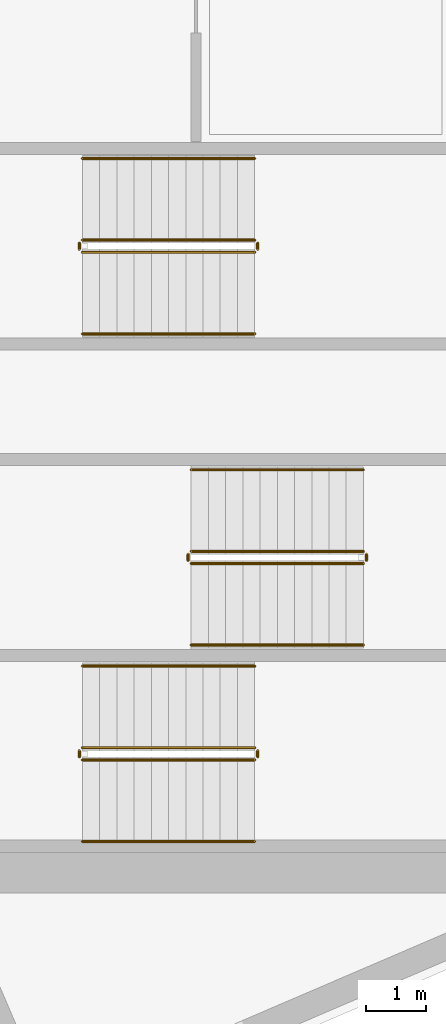
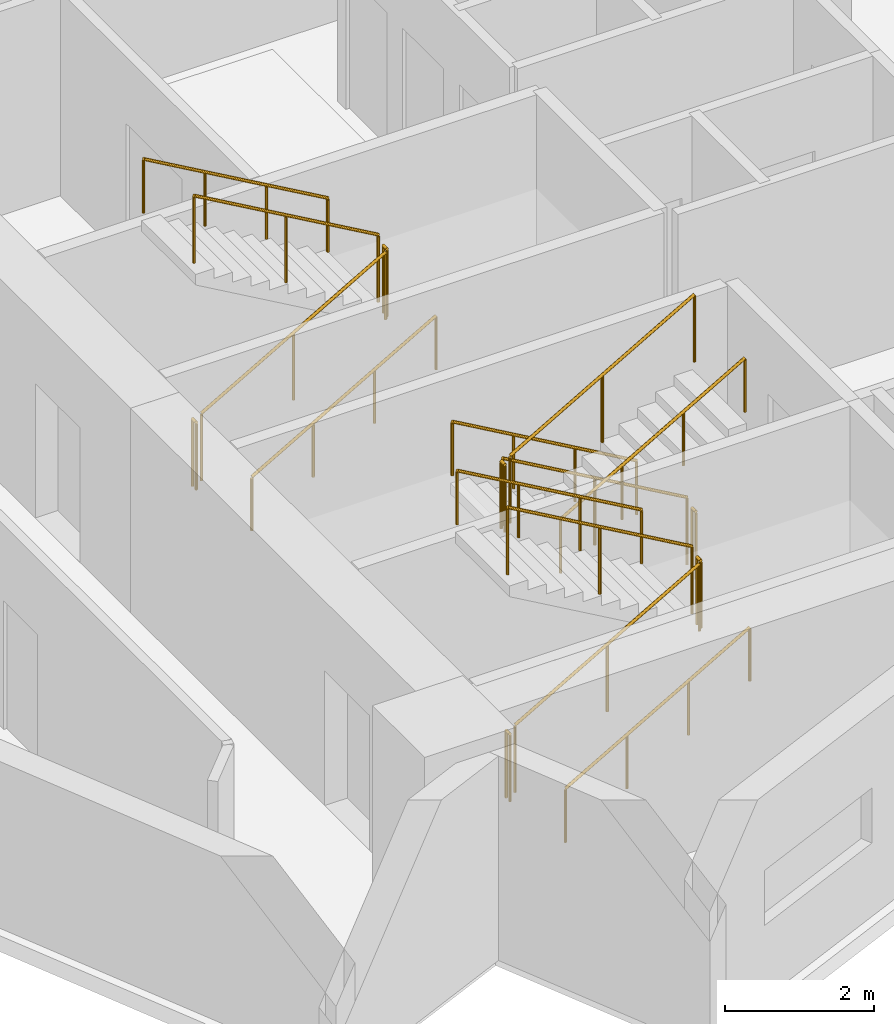
# One storey, part 12 of 13: 18 railings.
"""IFC4 building model written with IfcOpenShell, lengths in metres."""

from ifc_helpers import new_model, si_unit, direction, frame, origin, origin_2d, place, context, subcontext, project, spatial, circle, extrude, material, type_object, element, save


model = new_model("IFC4")

# Units and contexts
model_context = context("Model", 3, precision=1e-05, world=origin(), true_north=direction((0.0, 1.0)))
body_context = subcontext(model_context, "Body", "Model", "MODEL_VIEW")
ifc_project = project(units=[si_unit("LENGTHUNIT", "METRE"), si_unit("AREAUNIT", "SQUARE_METRE"), si_unit("VOLUMEUNIT", "CUBIC_METRE"), si_unit("PLANEANGLEUNIT", "RADIAN"), si_unit("MASSUNIT", "GRAM", prefix="KILO")], contexts=[model_context])

# Site, building, storey
site_placement = place(None, origin())
site = spatial("IfcSite", under=ifc_project, at=site_placement, CompositionType="ELEMENT")
building_placement = place(site_placement, origin())
building = spatial("IfcBuilding", under=site, at=building_placement, Name="Narakoshi Arena Tower", CompositionType="ELEMENT")
storey_placement = place(building_placement, frame((0.0, 0.0, 171.89990234375)))
storey = spatial("IfcBuildingStorey", under=building, at=storey_placement, Name="L46", CompositionType="ELEMENT", Elevation=171.89990234375)

# Railings
ifc_material_1 = material(Name="Clear low-iron laminated structural glass", Category="glass")
railing_type_1 = type_object("IfcRailingType", Name="RL-BAL-1100", PredefinedType="BALUSTRADE", material=ifc_material_1)
railing_1_placement = place(storey_placement, frame((74.39990234375, 36.949951171875, 0.163818359375)))
element("IfcRailing", 1, at=railing_1_placement, inside=storey, type_object=railing_type_1, Name="L46 ST1 stair guard 1", PredefinedType="BALUSTRADE", context=body_context, shape_type="SweptSolid", body=[
    extrude(circle(Radius=0.02392578125, at=origin_2d()), frame((0.0, 0.0, 1.09619140625), z_axis=(0.867244780686, 0.0, 0.497882004468), x_axis=(0.0, 1.0, 0.0)), (0.0, 0.0, 1.0), 3.286376953125),
    extrude(circle(Radius=0.02099609375, at=origin_2d()), origin(), (0.0, 0.0, 1.0), 1.072021484375),
    extrude(circle(Radius=0.02099609375, at=origin_2d()), frame((1.425048828125, 0.0, 0.818115234375)), (0.0, 0.0, 1.0), 1.072021484375),
    extrude(circle(Radius=0.02099609375, at=origin_2d()), frame((2.85009765625, 0.0, 1.63623046875)), (0.0, 0.0, 1.0), 1.072021484375),
])
railing_2_placement = place(storey_placement, frame((77.300048828125, 37.0, 1.800048828125)))
element("IfcRailing", 2, at=railing_2_placement, inside=storey, type_object=railing_type_1, Name="L46 ST1 stair guard 2", PredefinedType="BALUSTRADE", context=body_context, shape_type="SweptSolid", body=[
    extrude(circle(Radius=0.02392578125, at=origin_2d()), frame((0.0, 0.0, 1.09619140625), z_axis=(0.0, 1.0, 0.0), x_axis=(-1.0, 0.0, 0.0)), (0.0, 0.0, 1.0), 0.10009765625),
    extrude(circle(Radius=0.02099609375, at=origin_2d()), origin(), (0.0, 0.0, 1.0), 1.072021484375),
    extrude(circle(Radius=0.02099609375, at=origin_2d()), frame((0.0, 0.10009765625, 0.0)), (0.0, 0.0, 1.0), 1.072021484375),
])
railing_3_placement = place(storey_placement, frame((77.25, 37.14990234375, 1.963623046875)))
element("IfcRailing", 3, at=railing_3_placement, inside=storey, type_object=railing_type_1, Name="L46 ST1 stair guard 3", PredefinedType="BALUSTRADE", context=body_context, shape_type="SweptSolid", body=[
    extrude(circle(Radius=0.02392578125, at=origin_2d()), frame((0.0, 0.0, 1.09619140625), z_axis=(-0.86721270334, 0.0, 0.497937874806), x_axis=(0.0, -1.0, 0.0)), (0.0, 0.0, 1.0), 3.28662109375),
    extrude(circle(Radius=0.02099609375, at=origin_2d()), origin(), (0.0, 0.0, 1.0), 1.072021484375),
    extrude(circle(Radius=0.02099609375, at=origin_2d()), frame((-1.425048828125, 0.0, 0.818359375)), (0.0, 0.0, 1.0), 1.072021484375),
    extrude(circle(Radius=0.02099609375, at=origin_2d()), frame((-2.85009765625, 0.0, 1.636474609375)), (0.0, 0.0, 1.0), 1.072021484375),
])
railing_4_placement = place(storey_placement, frame((74.35009765625, 37.0, 0.0)))
element("IfcRailing", 4, at=railing_4_placement, inside=storey, type_object=railing_type_1, Name="L46 ST1 stair guard 4", PredefinedType="BALUSTRADE", context=body_context, shape_type="SweptSolid", body=[
    extrude(circle(Radius=0.02392578125, at=origin_2d()), frame((0.0, 0.0, 1.09619140625), z_axis=(0.0, 1.0, 0.0), x_axis=(-1.0, 0.0, 0.0)), (0.0, 0.0, 1.0), 0.10009765625),
    extrude(circle(Radius=0.02099609375, at=origin_2d()), origin(), (0.0, 0.0, 1.0), 1.072021484375),
    extrude(circle(Radius=0.02099609375, at=origin_2d()), frame((0.0, 0.10009765625, 0.0)), (0.0, 0.0, 1.0), 1.072021484375),
])
railing_5_placement = place(storey_placement, frame((79.050048828125, 40.39990234375, 0.163818359375)))
element("IfcRailing", 5, at=railing_5_placement, inside=storey, type_object=railing_type_1, Name="L46 ST2 stair guard 1", PredefinedType="BALUSTRADE", context=body_context, shape_type="SweptSolid", body=[
    extrude(circle(Radius=0.02392578125, at=origin_2d()), frame((0.0, 0.0, 1.09619140625), z_axis=(-0.867244780686, 0.0, 0.497882004468), x_axis=(0.0, -1.0, 0.0)), (0.0, 0.0, 1.0), 3.286376953125),
    extrude(circle(Radius=0.02099609375, at=origin_2d()), origin(), (0.0, 0.0, 1.0), 1.072021484375),
    extrude(circle(Radius=0.02099609375, at=origin_2d()), frame((-1.425048828125, 0.0, 0.818115234375)), (0.0, 0.0, 1.0), 1.072021484375),
    extrude(circle(Radius=0.02099609375, at=origin_2d()), frame((-2.85009765625, 0.0, 1.63623046875)), (0.0, 0.0, 1.0), 1.072021484375),
])
railing_6_placement = place(storey_placement, frame((76.14990234375, 40.35009765625, 1.800048828125)))
element("IfcRailing", 6, at=railing_6_placement, inside=storey, type_object=railing_type_1, Name="L46 ST2 stair guard 2", PredefinedType="BALUSTRADE", context=body_context, shape_type="SweptSolid", body=[
    extrude(circle(Radius=0.02392578125, at=origin_2d()), frame((0.0, 0.0, 1.09619140625), z_axis=(0.0, -1.0, 0.0), x_axis=(1.0, 0.0, 0.0)), (0.0, 0.0, 1.0), 0.10009765625),
    extrude(circle(Radius=0.02099609375, at=origin_2d()), origin(), (0.0, 0.0, 1.0), 1.072021484375),
    extrude(circle(Radius=0.02099609375, at=origin_2d()), frame((0.0, -0.10009765625, 0.0)), (0.0, 0.0, 1.0), 1.072021484375),
])
railing_7_placement = place(storey_placement, frame((76.199951171875, 40.199951171875, 1.963623046875)))
element("IfcRailing", 7, at=railing_7_placement, inside=storey, type_object=railing_type_1, Name="L46 ST2 stair guard 3", PredefinedType="BALUSTRADE", context=body_context, shape_type="SweptSolid", body=[
    extrude(circle(Radius=0.02392578125, at=origin_2d()), frame((0.0, 0.0, 1.09619140625), z_axis=(0.86721270334, 0.0, 0.497937874806), x_axis=(0.0, 1.0, 0.0)), (0.0, 0.0, 1.0), 3.28662109375),
    extrude(circle(Radius=0.02099609375, at=origin_2d()), origin(), (0.0, 0.0, 1.0), 1.072021484375),
    extrude(circle(Radius=0.02099609375, at=origin_2d()), frame((1.425048828125, 0.0, 0.818359375)), (0.0, 0.0, 1.0), 1.072021484375),
    extrude(circle(Radius=0.02099609375, at=origin_2d()), frame((2.85009765625, 0.0, 1.636474609375)), (0.0, 0.0, 1.0), 1.072021484375),
])
railing_8_placement = place(storey_placement, frame((79.10009765625, 40.35009765625, 0.0)))
element("IfcRailing", 8, at=railing_8_placement, inside=storey, type_object=railing_type_1, Name="L46 ST2 stair guard 4", PredefinedType="BALUSTRADE", context=body_context, shape_type="SweptSolid", body=[
    extrude(circle(Radius=0.02392578125, at=origin_2d()), frame((0.0, 0.0, 1.09619140625), z_axis=(0.0, -1.0, 0.0), x_axis=(1.0, 0.0, 0.0)), (0.0, 0.0, 1.0), 0.10009765625),
    extrude(circle(Radius=0.02099609375, at=origin_2d()), origin(), (0.0, 0.0, 1.0), 1.072021484375),
    extrude(circle(Radius=0.02099609375, at=origin_2d()), frame((0.0, -0.10009765625, 0.0)), (0.0, 0.0, 1.0), 1.072021484375),
])
railing_9_placement = place(storey_placement, frame((74.39990234375, 45.35009765625, 0.163818359375)))
element("IfcRailing", 9, at=railing_9_placement, inside=storey, type_object=railing_type_1, Name="L46 ST3 stair guard 1", PredefinedType="BALUSTRADE", context=body_context, shape_type="SweptSolid", body=[
    extrude(circle(Radius=0.02392578125, at=origin_2d()), frame((0.0, 0.0, 1.09619140625), z_axis=(0.867244780686, 0.0, 0.497882004468), x_axis=(0.0, 1.0, 0.0)), (0.0, 0.0, 1.0), 3.286376953125),
    extrude(circle(Radius=0.02099609375, at=origin_2d()), origin(), (0.0, 0.0, 1.0), 1.072021484375),
    extrude(circle(Radius=0.02099609375, at=origin_2d()), frame((1.425048828125, 0.0, 0.818115234375)), (0.0, 0.0, 1.0), 1.072021484375),
    extrude(circle(Radius=0.02099609375, at=origin_2d()), frame((2.85009765625, 0.0, 1.63623046875)), (0.0, 0.0, 1.0), 1.072021484375),
])
railing_10_placement = place(storey_placement, frame((77.300048828125, 45.39990234375, 1.800048828125)))
element("IfcRailing", 10, at=railing_10_placement, inside=storey, type_object=railing_type_1, Name="L46 ST3 stair guard 2", PredefinedType="BALUSTRADE", context=body_context, shape_type="SweptSolid", body=[
    extrude(circle(Radius=0.02392578125, at=origin_2d()), frame((0.0, 0.0, 1.09619140625), z_axis=(0.0, 1.0, 0.0), x_axis=(-1.0, 0.0, 0.0)), (0.0, 0.0, 1.0), 0.10009765625),
    extrude(circle(Radius=0.02099609375, at=origin_2d()), origin(), (0.0, 0.0, 1.0), 1.072021484375),
    extrude(circle(Radius=0.02099609375, at=origin_2d()), frame((0.0, 0.10009765625, 0.0)), (0.0, 0.0, 1.0), 1.072021484375),
])
railing_11_placement = place(storey_placement, frame((77.25, 45.550048828125, 1.963623046875)))
element("IfcRailing", 11, at=railing_11_placement, inside=storey, type_object=railing_type_1, Name="L46 ST3 stair guard 3", PredefinedType="BALUSTRADE", context=body_context, shape_type="SweptSolid", body=[
    extrude(circle(Radius=0.02392578125, at=origin_2d()), frame((0.0, 0.0, 1.09619140625), z_axis=(-0.86721270334, 0.0, 0.497937874806), x_axis=(0.0, -1.0, 0.0)), (0.0, 0.0, 1.0), 3.28662109375),
    extrude(circle(Radius=0.02099609375, at=origin_2d()), origin(), (0.0, 0.0, 1.0), 1.072021484375),
    extrude(circle(Radius=0.02099609375, at=origin_2d()), frame((-1.425048828125, 0.0, 0.818359375)), (0.0, 0.0, 1.0), 1.072021484375),
    extrude(circle(Radius=0.02099609375, at=origin_2d()), frame((-2.85009765625, 0.0, 1.636474609375)), (0.0, 0.0, 1.0), 1.072021484375),
])
railing_12_placement = place(storey_placement, frame((74.35009765625, 45.39990234375, 0.0)))
element("IfcRailing", 12, at=railing_12_placement, inside=storey, type_object=railing_type_1, Name="L46 ST3 stair guard 4", PredefinedType="BALUSTRADE", context=body_context, shape_type="SweptSolid", body=[
    extrude(circle(Radius=0.02392578125, at=origin_2d()), frame((0.0, 0.0, 1.09619140625), z_axis=(0.0, 1.0, 0.0), x_axis=(-1.0, 0.0, 0.0)), (0.0, 0.0, 1.0), 0.10009765625),
    extrude(circle(Radius=0.02099609375, at=origin_2d()), origin(), (0.0, 0.0, 1.0), 1.072021484375),
    extrude(circle(Radius=0.02099609375, at=origin_2d()), frame((0.0, 0.10009765625, 0.0)), (0.0, 0.0, 1.0), 1.072021484375),
])
ifc_material_2 = material(Name="Brushed bronze stainless steel", Category="steel")
railing_type_2 = type_object("IfcRailingType", Name="RL-HND-900", PredefinedType="HANDRAIL", material=ifc_material_2)
railing_13_placement = place(storey_placement, frame((74.39990234375, 35.60009765625, 0.163818359375)))
element("IfcRailing", 13, at=railing_13_placement, inside=storey, type_object=railing_type_2, Name="L46 ST1 stair handrail 1", PredefinedType="HANDRAIL", context=body_context, shape_type="SweptSolid", body=[
    extrude(circle(Radius=0.02392578125, at=origin_2d()), frame((0.0, 0.0, 0.8759765625), z_axis=(0.867244780686, 0.0, 0.497882004468), x_axis=(0.0, 1.0, 0.0)), (0.0, 0.0, 1.0), 3.286376953125),
    extrude(circle(Radius=0.02099609375, at=origin_2d()), origin(), (0.0, 0.0, 1.0), 0.851806640625),
    extrude(circle(Radius=0.02099609375, at=origin_2d()), frame((0.949951171875, 0.0, 0.54541015625)), (0.0, 0.0, 1.0), 0.851806640625),
    extrude(circle(Radius=0.02099609375, at=origin_2d()), frame((1.900146484375, 0.0, 1.0908203125)), (0.0, 0.0, 1.0), 0.851806640625),
    extrude(circle(Radius=0.02099609375, at=origin_2d()), frame((2.85009765625, 0.0, 1.63623046875)), (0.0, 0.0, 1.0), 0.851806640625),
])
railing_14_placement = place(storey_placement, frame((77.25, 38.5, 1.963623046875)))
element("IfcRailing", 14, at=railing_14_placement, inside=storey, type_object=railing_type_2, Name="L46 ST1 stair handrail 2", PredefinedType="HANDRAIL", context=body_context, shape_type="SweptSolid", body=[
    extrude(circle(Radius=0.02392578125, at=origin_2d()), frame((0.0, 0.0, 0.8759765625), z_axis=(-0.86721270334, 0.0, 0.497937874806), x_axis=(0.0, -1.0, 0.0)), (0.0, 0.0, 1.0), 3.28662109375),
    extrude(circle(Radius=0.02099609375, at=origin_2d()), origin(), (0.0, 0.0, 1.0), 0.851806640625),
    extrude(circle(Radius=0.02099609375, at=origin_2d()), frame((-0.949951171875, 0.0, 0.54541015625)), (0.0, 0.0, 1.0), 0.851806640625),
    extrude(circle(Radius=0.02099609375, at=origin_2d()), frame((-1.900146484375, 0.0, 1.091064453125)), (0.0, 0.0, 1.0), 0.851806640625),
    extrude(circle(Radius=0.02099609375, at=origin_2d()), frame((-2.85009765625, 0.0, 1.636474609375)), (0.0, 0.0, 1.0), 0.851806640625),
])
railing_15_placement = place(storey_placement, frame((79.050048828125, 41.75, 0.163818359375)))
element("IfcRailing", 15, at=railing_15_placement, inside=storey, type_object=railing_type_2, Name="L46 ST2 stair handrail 1", PredefinedType="HANDRAIL", context=body_context, shape_type="SweptSolid", body=[
    extrude(circle(Radius=0.02392578125, at=origin_2d()), frame((0.0, 0.0, 0.8759765625), z_axis=(-0.867244780686, 0.0, 0.497882004468), x_axis=(0.0, -1.0, 0.0)), (0.0, 0.0, 1.0), 3.286376953125),
    extrude(circle(Radius=0.02099609375, at=origin_2d()), origin(), (0.0, 0.0, 1.0), 0.851806640625),
    extrude(circle(Radius=0.02099609375, at=origin_2d()), frame((-0.949951171875, 0.0, 0.54541015625)), (0.0, 0.0, 1.0), 0.851806640625),
    extrude(circle(Radius=0.02099609375, at=origin_2d()), frame((-1.900146484375, 0.0, 1.0908203125)), (0.0, 0.0, 1.0), 0.851806640625),
    extrude(circle(Radius=0.02099609375, at=origin_2d()), frame((-2.85009765625, 0.0, 1.63623046875)), (0.0, 0.0, 1.0), 0.851806640625),
])
railing_16_placement = place(storey_placement, frame((76.199951171875, 38.85009765625, 1.963623046875)))
element("IfcRailing", 16, at=railing_16_placement, inside=storey, type_object=railing_type_2, Name="L46 ST2 stair handrail 2", PredefinedType="HANDRAIL", context=body_context, shape_type="SweptSolid", body=[
    extrude(circle(Radius=0.02392578125, at=origin_2d()), frame((0.0, 0.0, 0.8759765625), z_axis=(0.86721270334, 0.0, 0.497937874806), x_axis=(0.0, 1.0, 0.0)), (0.0, 0.0, 1.0), 3.28662109375),
    extrude(circle(Radius=0.02099609375, at=origin_2d()), origin(), (0.0, 0.0, 1.0), 0.851806640625),
    extrude(circle(Radius=0.02099609375, at=origin_2d()), frame((0.949951171875, 0.0, 0.54541015625)), (0.0, 0.0, 1.0), 0.851806640625),
    extrude(circle(Radius=0.02099609375, at=origin_2d()), frame((1.900146484375, 0.0, 1.091064453125)), (0.0, 0.0, 1.0), 0.851806640625),
    extrude(circle(Radius=0.02099609375, at=origin_2d()), frame((2.85009765625, 0.0, 1.636474609375)), (0.0, 0.0, 1.0), 0.851806640625),
])
railing_17_placement = place(storey_placement, frame((74.39990234375, 44.0, 0.163818359375)))
element("IfcRailing", 17, at=railing_17_placement, inside=storey, type_object=railing_type_2, Name="L46 ST3 stair handrail 1", PredefinedType="HANDRAIL", context=body_context, shape_type="SweptSolid", body=[
    extrude(circle(Radius=0.02392578125, at=origin_2d()), frame((0.0, 0.0, 0.8759765625), z_axis=(0.867244780686, 0.0, 0.497882004468), x_axis=(0.0, 1.0, 0.0)), (0.0, 0.0, 1.0), 3.286376953125),
    extrude(circle(Radius=0.02099609375, at=origin_2d()), origin(), (0.0, 0.0, 1.0), 0.851806640625),
    extrude(circle(Radius=0.02099609375, at=origin_2d()), frame((0.949951171875, 0.0, 0.54541015625)), (0.0, 0.0, 1.0), 0.851806640625),
    extrude(circle(Radius=0.02099609375, at=origin_2d()), frame((1.900146484375, 0.0, 1.0908203125)), (0.0, 0.0, 1.0), 0.851806640625),
    extrude(circle(Radius=0.02099609375, at=origin_2d()), frame((2.85009765625, 0.0, 1.63623046875)), (0.0, 0.0, 1.0), 0.851806640625),
])
railing_18_placement = place(storey_placement, frame((77.25, 46.89990234375, 1.963623046875)))
element("IfcRailing", 18, at=railing_18_placement, inside=storey, type_object=railing_type_2, Name="L46 ST3 stair handrail 2", PredefinedType="HANDRAIL", context=body_context, shape_type="SweptSolid", body=[
    extrude(circle(Radius=0.02392578125, at=origin_2d()), frame((0.0, 0.0, 0.8759765625), z_axis=(-0.86721270334, 0.0, 0.497937874806), x_axis=(0.0, -1.0, 0.0)), (0.0, 0.0, 1.0), 3.28662109375),
    extrude(circle(Radius=0.02099609375, at=origin_2d()), origin(), (0.0, 0.0, 1.0), 0.851806640625),
    extrude(circle(Radius=0.02099609375, at=origin_2d()), frame((-0.949951171875, 0.0, 0.54541015625)), (0.0, 0.0, 1.0), 0.851806640625),
    extrude(circle(Radius=0.02099609375, at=origin_2d()), frame((-1.900146484375, 0.0, 1.091064453125)), (0.0, 0.0, 1.0), 0.851806640625),
    extrude(circle(Radius=0.02099609375, at=origin_2d()), frame((-2.85009765625, 0.0, 1.636474609375)), (0.0, 0.0, 1.0), 0.851806640625),
])

save(model, "model.ifc")
